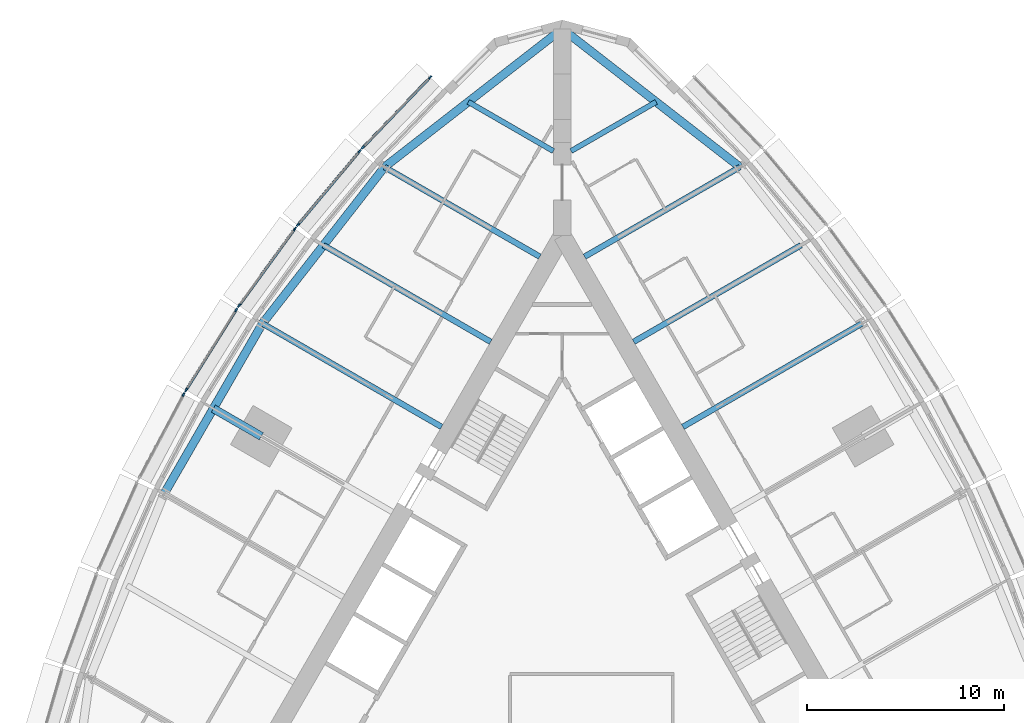
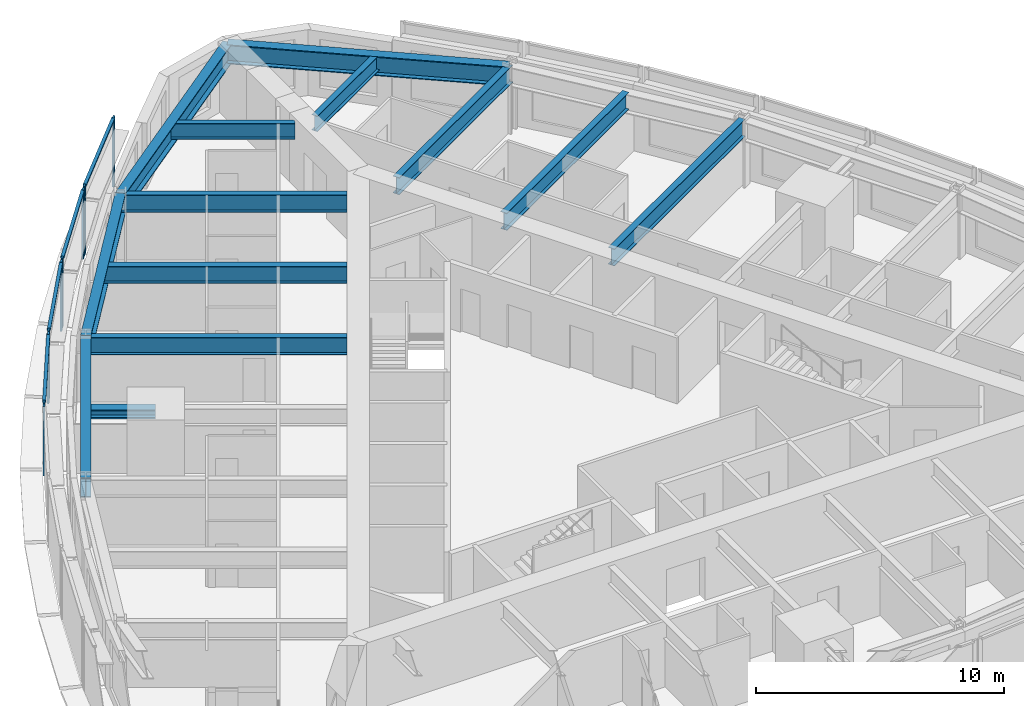
# One storey, part 4 of 14: 13 beams, 13 members, 5 elements without a shape of their own.
"""IFC4 building model written with IfcOpenShell, lengths in metres."""

from ifc_helpers import new_model, si_unit, direction, frame, origin, origin_2d, place, context, subcontext, project, spatial, rectangle, i_section, extrude, material, material_profile, profile_set, type_object, element, aggregate, save


model = new_model("IFC4")

# Units and contexts
model_context = context("Model", 3, precision=1e-05, world=origin(), true_north=direction((0.0, 1.0)))
body_context = subcontext(model_context, "Body", "Model", "MODEL_VIEW")
ifc_project = project(units=[si_unit("LENGTHUNIT", "METRE"), si_unit("AREAUNIT", "SQUARE_METRE"), si_unit("VOLUMEUNIT", "CUBIC_METRE"), si_unit("PLANEANGLEUNIT", "RADIAN"), si_unit("MASSUNIT", "GRAM", prefix="KILO")], contexts=[model_context])

# Site, building, storey
site_placement = place(None, origin())
site = spatial("IfcSite", under=ifc_project, at=site_placement, CompositionType="ELEMENT")
building_placement = place(site_placement, origin())
building = spatial("IfcBuilding", under=site, at=building_placement, Name="Trikona Tower", CompositionType="ELEMENT")
storey_placement = place(building_placement, frame((0.0, 0.0, 152.10009765625)))
storey = spatial("IfcBuildingStorey", under=building, at=storey_placement, Name="L40", CompositionType="ELEMENT", Elevation=152.10009765625)

# Curtain wall, members
ifc_material_1 = material(Name="Aluminium curtain wall system", Category="aluminium")
curtain_wall_type = type_object("IfcCurtainWallType", Name="Curtain wall DS2", PredefinedType="NOTDEFINED", material=ifc_material_1)
curtain_wall_1_placement = place(storey_placement, origin())
curtain_wall_1 = element("IfcCurtainWall", 1, at=curtain_wall_1_placement, inside=storey, type_object=curtain_wall_type, Name="Curtain wall DS2 L40", PredefinedType="NOTDEFINED")
ifc_material_2 = material(Name="Aluminium mullion, pale anodised", Category="aluminium")
ifc_material_profile_1 = material_profile(ifc_material_2, rectangle(XDim=0.080078125, YDim=0.199951171875, at=origin_2d()), Name="MUL-DS2")
ifc_profile_set_1 = profile_set([ifc_material_profile_1], Name="Aluminium mullion, pale anodised")
member_type_1 = type_object("IfcMemberType", Name="Mullion DS2 80x200", PredefinedType="MULLION", material=ifc_profile_set_1)
member_1_placement = place(storey_placement, frame((-6.718994140625, 27.1083984375, 0.0), z_axis=(0.0, 0.0, 1.0), x_axis=(0.722158330767, -0.691727797117, 0.0)))
member_1 = element("IfcMember", 2, at=member_1_placement, type_object=member_type_1, Name="CW-DS2 mullion 1", PredefinedType="MULLION", context=body_context, shape_type="SweptSolid", body=[
    extrude(rectangle(XDim=0.080078125, YDim=0.199951171875, at=origin_2d()), origin(), (0.0, 0.0, 1.0), 3.39990234375),
])
member_2_placement = place(storey_placement, frame((-10.1416015625, 23.535400390625, 0.0), z_axis=(0.0, 0.0, 1.0), x_axis=(0.722158330767, -0.691727797117, 0.0)))
member_2 = element("IfcMember", 3, at=member_2_placement, type_object=member_type_1, Name="CW-DS2 mullion 2", PredefinedType="MULLION", context=body_context, shape_type="SweptSolid", body=[
    extrude(rectangle(XDim=0.080078125, YDim=0.199951171875, at=origin_2d()), origin(), (0.0, 0.0, 1.0), 3.39990234375),
])

curtain_wall_2_placement = place(storey_placement, origin())
curtain_wall_2 = element("IfcCurtainWall", 4, at=curtain_wall_2_placement, inside=storey, type_object=curtain_wall_type, Name="Curtain wall DS2 L40", PredefinedType="NOTDEFINED")
member_3_placement = place(storey_placement, frame((-10.315185546875, 23.34130859375, 0.0), z_axis=(0.0, 0.0, 1.0), x_axis=(0.766866678271, -0.641806433248, 0.0)))
member_3 = element("IfcMember", 5, at=member_3_placement, type_object=member_type_1, Name="CW-DS2 mullion 1", PredefinedType="MULLION", context=body_context, shape_type="SweptSolid", body=[
    extrude(rectangle(XDim=0.080078125, YDim=0.199951171875, at=origin_2d()), origin(), (0.0, 0.0, 1.0), 3.39990234375),
])
member_4_placement = place(storey_placement, frame((-13.44482421875, 19.602294921875, 0.0), z_axis=(0.0, 0.0, 1.0), x_axis=(0.766866678271, -0.641806433248, 0.0)))
member_4 = element("IfcMember", 6, at=member_4_placement, type_object=member_type_1, Name="CW-DS2 mullion 2", PredefinedType="MULLION", context=body_context, shape_type="SweptSolid", body=[
    extrude(rectangle(XDim=0.080078125, YDim=0.199951171875, at=origin_2d()), origin(), (0.0, 0.0, 1.0), 3.39990234375),
])

curtain_wall_3_placement = place(storey_placement, origin())
curtain_wall_3 = element("IfcCurtainWall", 7, at=curtain_wall_3_placement, inside=storey, type_object=curtain_wall_type, Name="Curtain wall DS2 L40", PredefinedType="NOTDEFINED")
member_5_placement = place(storey_placement, frame((-13.605712890625, 19.39599609375, 0.0), z_axis=(0.0, 0.0, 1.0), x_axis=(0.80908576332, -0.587690588313, 0.0)))
member_5 = element("IfcMember", 8, at=member_5_placement, type_object=member_type_1, Name="CW-DS2 mullion 1", PredefinedType="MULLION", context=body_context, shape_type="SweptSolid", body=[
    extrude(rectangle(XDim=0.080078125, YDim=0.199951171875, at=origin_2d()), origin(), (0.0, 0.0, 1.0), 3.39990234375),
])
member_6_placement = place(storey_placement, frame((-16.442626953125, 15.489990234375, 0.0), z_axis=(0.0, 0.0, 1.0), x_axis=(0.80908576332, -0.587690588313, 0.0)))
member_6 = element("IfcMember", 9, at=member_6_placement, type_object=member_type_1, Name="CW-DS2 mullion 2", PredefinedType="MULLION", context=body_context, shape_type="SweptSolid", body=[
    extrude(rectangle(XDim=0.080078125, YDim=0.199951171875, at=origin_2d()), origin(), (0.0, 0.0, 1.0), 3.39990234375),
])

curtain_wall_4_placement = place(storey_placement, origin())
curtain_wall_4 = element("IfcCurtainWall", 10, at=curtain_wall_4_placement, inside=storey, type_object=curtain_wall_type, Name="Curtain wall DS2 L40", PredefinedType="NOTDEFINED")
member_7_placement = place(storey_placement, frame((-16.589599609375, 15.2724609375, 0.0), z_axis=(0.0, 0.0, 1.0), x_axis=(0.847998304006, -0.529998940002, 0.0)))
member_7 = element("IfcMember", 11, at=member_7_placement, type_object=member_type_1, Name="CW-DS2 mullion 1", PredefinedType="MULLION", context=body_context, shape_type="SweptSolid", body=[
    extrude(rectangle(XDim=0.080078125, YDim=0.199951171875, at=origin_2d()), origin(), (0.0, 0.0, 1.0), 3.39990234375),
])
member_8_placement = place(storey_placement, frame((-19.135009765625, 11.199462890625, 0.0), z_axis=(0.0, 0.0, 1.0), x_axis=(0.847998304006, -0.529998940002, 0.0)))
member_8 = element("IfcMember", 12, at=member_8_placement, type_object=member_type_1, Name="CW-DS2 mullion 2", PredefinedType="MULLION", context=body_context, shape_type="SweptSolid", body=[
    extrude(rectangle(XDim=0.080078125, YDim=0.199951171875, at=origin_2d()), origin(), (0.0, 0.0, 1.0), 3.39990234375),
])

# Curtain wall, member
curtain_wall_5_placement = place(storey_placement, origin())
curtain_wall_5 = element("IfcCurtainWall", 13, at=curtain_wall_5_placement, inside=storey, type_object=curtain_wall_type, Name="Curtain wall DS2 L40", PredefinedType="NOTDEFINED")
member_9_placement = place(storey_placement, frame((-19.2666015625, 10.9716796875, 0.0), z_axis=(0.0, 0.0, 1.0), x_axis=(0.882996107343, -0.469380308937, 0.0)))
member_9 = element("IfcMember", 14, at=member_9_placement, type_object=member_type_1, Name="CW-DS2 mullion 1", PredefinedType="MULLION", context=body_context, shape_type="SweptSolid", body=[
    extrude(rectangle(XDim=0.080078125, YDim=0.199951171875, at=origin_2d()), origin(), (0.0, 0.0, 1.0), 3.39990234375),
])
aggregate(curtain_wall_5, [member_9])

# Beams
ifc_material_3 = material(Name="Steel ASTM A992 Grade 50", Category="steel")
ifc_material_profile_2 = material_profile(ifc_material_3, i_section(OverallWidth=0.419189453125, OverallDepth=0.45458984375, WebThickness=0.042236328125, FlangeThickness=0.067626953125, at=origin_2d()), Name="W14X370")
ifc_profile_set_2 = profile_set([ifc_material_profile_2], Name="Steel ASTM A992 Grade 50")
beam_type_1 = type_object("IfcBeamType", Name="Steel beam W14x370 (apex bracket)", PredefinedType="BEAM", material=ifc_profile_set_2)
beam_1_placement = place(storey_placement, frame((-15.311767578125, 8.84033203125, 3.007568359375), z_axis=(-0.86605005072, 0.499957307824, 0.0), x_axis=(-0.499957307824, -0.86605005072, 0.0)))
element("IfcBeam", 15, at=beam_1_placement, inside=storey, type_object=beam_type_1, Name="Cantilever bracket L41 F3", PredefinedType="BEAM", context=body_context, shape_type="SweptSolid", body=[
    extrude(i_section(OverallWidth=0.419189453125, OverallDepth=0.45458984375, WebThickness=0.042236328125, FlangeThickness=0.067626953125, at=origin_2d()), origin(), (0.0, 0.0, 1.0), 2.819580078125),
])
ifc_material_4 = material(Name="Steel ASTM A992 Grade 50", Category="steel")
ifc_material_profile_3 = material_profile(ifc_material_4, i_section(OverallWidth=0.2666015625, OverallDepth=0.76953125, WebThickness=0.015625, FlangeThickness=0.025390625, at=origin_2d()), Name="W30X132")
ifc_profile_set_3 = profile_set([ifc_material_profile_3], Name="Steel ASTM A992 Grade 50")
beam_type_2 = type_object("IfcBeamType", Name="Steel beam W30x132 (wedge)", PredefinedType="BEAM", material=ifc_profile_set_3)
for number, where, z_axis, x_axis, name in (
    (16, (0.449951171875, 23.353759765625, 2.85009765625), (0.866038434829, 0.49997742889, 0.0), (-0.49997742889, 0.866038434829, 0.0), "Floor beam L41 F2 u20"),
    (17, (-0.449951171875, 23.353759765625, 2.85009765625), (-0.866038434829, 0.49997742889, 0.0), (-0.49997742889, -0.866038434829, 0.0), "Floor beam L41 F3 u-20"),
):
    element("IfcBeam", number, at=place(storey_placement, frame(where, z_axis=z_axis, x_axis=x_axis)), inside=storey, type_object=beam_type_2, Name=name, PredefinedType="BEAM", context=body_context, shape_type="SweptSolid", body=[
        extrude(i_section(OverallWidth=0.2666015625, OverallDepth=0.76953125, WebThickness=0.015625, FlangeThickness=0.025390625, at=origin_2d()), origin(), (0.0, 0.0, 1.0), 5.000732421875),
    ])
ifc_material_5 = material(Name="Steel ASTM A992 Grade 50", Category="steel")
ifc_material_profile_4 = material_profile(ifc_material_5, i_section(OverallWidth=0.2919921875, OverallDepth=0.845703125, WebThickness=0.015380859375, FlangeThickness=0.0244140625, at=origin_2d()), Name="W33X141")
ifc_profile_set_4 = profile_set([ifc_material_profile_4], Name="Steel ASTM A992 Grade 50")
beam_type_3 = type_object("IfcBeamType", Name="Steel beam W33x141 (radial typ)", PredefinedType="BEAM", material=ifc_profile_set_4)
beam_2_placement = place(storey_placement, frame((6.1396484375, 9.318359375, 2.81201171875), z_axis=(0.866036080828, 0.499981506362, 0.0), x_axis=(-0.499981506362, 0.866036080828, 0.0)))
element("IfcBeam", 18, at=beam_2_placement, inside=storey, type_object=beam_type_3, Name="Floor beam L41 F2 u5", PredefinedType="BEAM", context=body_context, shape_type="SweptSolid", body=[
    extrude(i_section(OverallWidth=0.2919921875, OverallDepth=0.845703125, WebThickness=0.015380859375, FlangeThickness=0.0244140625, at=origin_2d()), origin(), (0.0, 0.0, 1.0), 10.52392578125),
])
beam_3_placement = place(storey_placement, frame((3.6396484375, 13.6484375, 2.81201171875), z_axis=(0.866030807744, 0.499990639951, 0.0), x_axis=(-0.499990639951, 0.866030807744, 0.0)))
element("IfcBeam", 19, at=beam_3_placement, inside=storey, type_object=beam_type_3, Name="Floor beam L41 F2 u10", PredefinedType="BEAM", context=body_context, shape_type="SweptSolid", body=[
    extrude(i_section(OverallWidth=0.2919921875, OverallDepth=0.845703125, WebThickness=0.015380859375, FlangeThickness=0.0244140625, at=origin_2d()), origin(), (0.0, 0.0, 1.0), 9.823974609375),
])
for number, where, z_axis, x_axis, name in (
    (20, (1.1396484375, 17.978515625, 2.81201171875), (0.866024725532, 0.500001174766, 0.0), (-0.500001174766, 0.866024725532, 0.0), "Floor beam L41 F2 u15"),
    (21, (-1.1396484375, 17.978515625, 2.81201171875), (-0.866024725532, 0.500001174766, 0.0), (-0.500001174766, -0.866024725532, 0.0), "Floor beam L41 F3 u-15"),
):
    element("IfcBeam", number, at=place(storey_placement, frame(where, z_axis=z_axis, x_axis=x_axis)), inside=storey, type_object=beam_type_3, Name=name, PredefinedType="BEAM", context=body_context, shape_type="SweptSolid", body=[
        extrude(i_section(OverallWidth=0.2919921875, OverallDepth=0.845703125, WebThickness=0.015380859375, FlangeThickness=0.0244140625, at=origin_2d()), origin(), (0.0, 0.0, 1.0), 9.1240234375),
    ])
beam_4_placement = place(storey_placement, frame((-3.6396484375, 13.6484375, 2.81201171875), z_axis=(-0.866030807744, 0.499990639951, 0.0), x_axis=(-0.499990639951, -0.866030807744, 0.0)))
element("IfcBeam", 22, at=beam_4_placement, inside=storey, type_object=beam_type_3, Name="Floor beam L41 F3 u-10", PredefinedType="BEAM", context=body_context, shape_type="SweptSolid", body=[
    extrude(i_section(OverallWidth=0.2919921875, OverallDepth=0.845703125, WebThickness=0.015380859375, FlangeThickness=0.0244140625, at=origin_2d()), origin(), (0.0, 0.0, 1.0), 9.823974609375),
])
beam_5_placement = place(storey_placement, frame((-6.1396484375, 9.318359375, 2.81201171875), z_axis=(-0.866036080828, 0.499981506362, 0.0), x_axis=(-0.499981506362, -0.866036080828, 0.0)))
element("IfcBeam", 23, at=beam_5_placement, inside=storey, type_object=beam_type_3, Name="Floor beam L41 F3 u-5", PredefinedType="BEAM", context=body_context, shape_type="SweptSolid", body=[
    extrude(i_section(OverallWidth=0.2919921875, OverallDepth=0.845703125, WebThickness=0.015380859375, FlangeThickness=0.0244140625, at=origin_2d()), origin(), (0.0, 0.0, 1.0), 10.52392578125),
])
ifc_material_6 = material(Name="Steel ASTM A992 Grade 50", Category="steel")
ifc_material_profile_5 = material_profile(ifc_material_6, i_section(OverallWidth=0.424072265625, OverallDepth=0.947509765625, WebThickness=0.02392578125, FlangeThickness=0.042724609375, at=origin_2d()), Name="W36X302")
ifc_profile_set_5 = profile_set([ifc_material_profile_5], Name="Steel ASTM A992 Grade 50")
beam_type_4 = type_object("IfcBeamType", Name="Steel beam W36x302 (spandrel)", PredefinedType="SPANDREL", material=ifc_profile_set_5)
for number, where, z_axis, x_axis, name in (
    (24, (9.041259765625, 22.54052734375, 2.76123046875), (-0.789367137808, 0.613921429621, 0.0), (-0.613921429621, -0.789367137808, 0.0), "Spandrel beam L41 F2-5"),
    (25, (0.0, 29.572265625, 2.76123046875), (-0.789367137808, -0.613921429621, 0.0), (0.613921429621, -0.789367137808, 0.0), "Spandrel beam L41 F3-1"),
):
    element("IfcBeam", number, at=place(storey_placement, frame(where, z_axis=z_axis, x_axis=x_axis)), inside=storey, type_object=beam_type_4, Name=name, PredefinedType="SPANDREL", context=body_context, shape_type="SweptSolid", body=[
        extrude(i_section(OverallWidth=0.424072265625, OverallDepth=0.947509765625, WebThickness=0.02392578125, FlangeThickness=0.042724609375, at=origin_2d()), origin(), (0.0, 0.0, 1.0), 11.453857421875),
    ])
beam_6_placement = place(storey_placement, frame((-9.041259765625, 22.54052734375, 2.76123046875), z_axis=(-0.615232009054, -0.788346101046, 0.0), x_axis=(0.788346101046, -0.615232009054, 0.0)))
element("IfcBeam", 26, at=beam_6_placement, inside=storey, type_object=beam_type_4, Name="Spandrel beam L41 F3-2", PredefinedType="SPANDREL", context=body_context, shape_type="SweptSolid", body=[
    extrude(i_section(OverallWidth=0.424072265625, OverallDepth=0.947509765625, WebThickness=0.02392578125, FlangeThickness=0.042724609375, at=origin_2d()), origin(), (0.0, 0.0, 1.0), 10.09765625),
])
beam_7_placement = place(storey_placement, frame((-15.253662109375, 14.580078125, 2.76123046875), z_axis=(-0.500004234368, -0.866022959057, 0.0), x_axis=(0.866022959057, -0.500004234368, 0.0)))
element("IfcBeam", 27, at=beam_7_placement, inside=storey, type_object=beam_type_4, Name="Spandrel beam L41 F3-3", PredefinedType="SPANDREL", context=body_context, shape_type="SweptSolid", body=[
    extrude(i_section(OverallWidth=0.424072265625, OverallDepth=0.947509765625, WebThickness=0.02392578125, FlangeThickness=0.042724609375, at=origin_2d()), origin(), (0.0, 0.0, 1.0), 10.0),
])

# Member
ifc_material_7 = material(Name="Aluminium transom, pale anodised", Category="aluminium")
ifc_material_profile_6 = material_profile(ifc_material_7, rectangle(XDim=0.139892578125, YDim=0.080078125, at=origin_2d()), Name="TRN-DS2")
ifc_profile_set_6 = profile_set([ifc_material_profile_6], Name="Aluminium transom, pale anodised")
member_type_2 = type_object("IfcMemberType", Name="Transom DS2 80x140", PredefinedType="USERDEFINED", material=ifc_profile_set_6)
member_10_placement = place(storey_placement, frame((-6.746826171875, 27.07958984375, 3.35986328125), z_axis=(-0.691721246785, -0.722164605022, 0.0), x_axis=(0.722164605022, -0.691721246785, 0.0)))
member_10 = element("IfcMember", 28, at=member_10_placement, type_object=member_type_2, Name="CW-DS2 transom 1.1", ObjectType="TRANSOM", PredefinedType="USERDEFINED", context=body_context, shape_type="SweptSolid", body=[
    extrude(rectangle(XDim=0.139892578125, YDim=0.080078125, at=origin_2d()), origin(), (0.0, 0.0, 1.0), 4.867919921875),
])

aggregate(curtain_wall_1, [member_1, member_2, member_10])

member_11_placement = place(storey_placement, frame((-10.341064453125, 23.310791015625, 3.35986328125), z_axis=(-0.641770294892, -0.766896921753, 0.0), x_axis=(0.766896921753, -0.641770294892, 0.0)))
member_11 = element("IfcMember", 29, at=member_11_placement, type_object=member_type_2, Name="CW-DS2 transom 1.1", ObjectType="TRANSOM", PredefinedType="USERDEFINED", context=body_context, shape_type="SweptSolid", body=[
    extrude(rectangle(XDim=0.139892578125, YDim=0.080078125, at=origin_2d()), origin(), (0.0, 0.0, 1.0), 4.7958984375),
])

aggregate(curtain_wall_2, [member_3, member_4, member_11])

member_12_placement = place(storey_placement, frame((-13.629150390625, 19.363525390625, 3.35986328125), z_axis=(-0.587694585883, -0.809082859616, 0.0), x_axis=(0.809082859616, -0.587694585883, 0.0)))
member_12 = element("IfcMember", 30, at=member_12_placement, type_object=member_type_2, Name="CW-DS2 transom 1.1", ObjectType="TRANSOM", PredefinedType="USERDEFINED", context=body_context, shape_type="SweptSolid", body=[
    extrude(rectangle(XDim=0.139892578125, YDim=0.080078125, at=origin_2d()), origin(), (0.0, 0.0, 1.0), 4.747314453125),
])

aggregate(curtain_wall_3, [member_5, member_6, member_12])

member_13_placement = place(storey_placement, frame((-16.610595703125, 15.238525390625, 3.35986328125), z_axis=(-0.530031463794, -0.847977975769, 0.0), x_axis=(0.847977975769, -0.530031463794, 0.0)))
member_13 = element("IfcMember", 31, at=member_13_placement, type_object=member_type_2, Name="CW-DS2 transom 1.1", ObjectType="TRANSOM", PredefinedType="USERDEFINED", context=body_context, shape_type="SweptSolid", body=[
    extrude(rectangle(XDim=0.139892578125, YDim=0.080078125, at=origin_2d()), origin(), (0.0, 0.0, 1.0), 4.72314453125),
])

aggregate(curtain_wall_4, [member_7, member_8, member_13])

save(model, "model.ifc")
